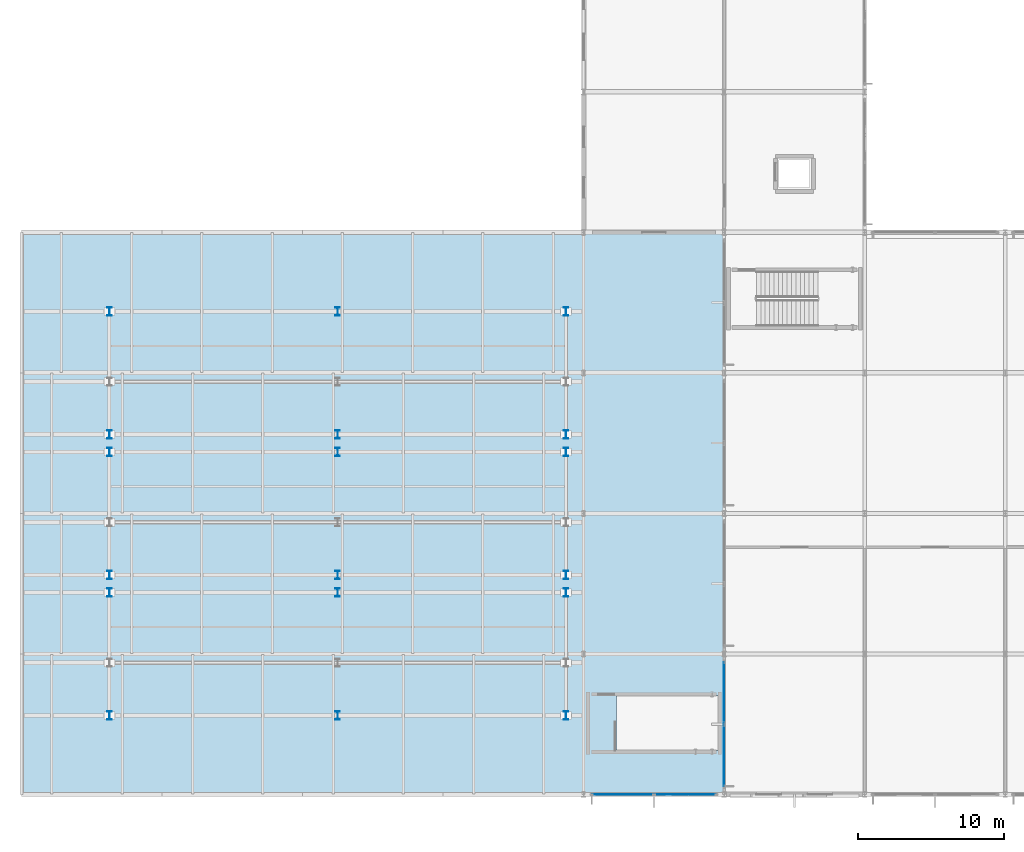
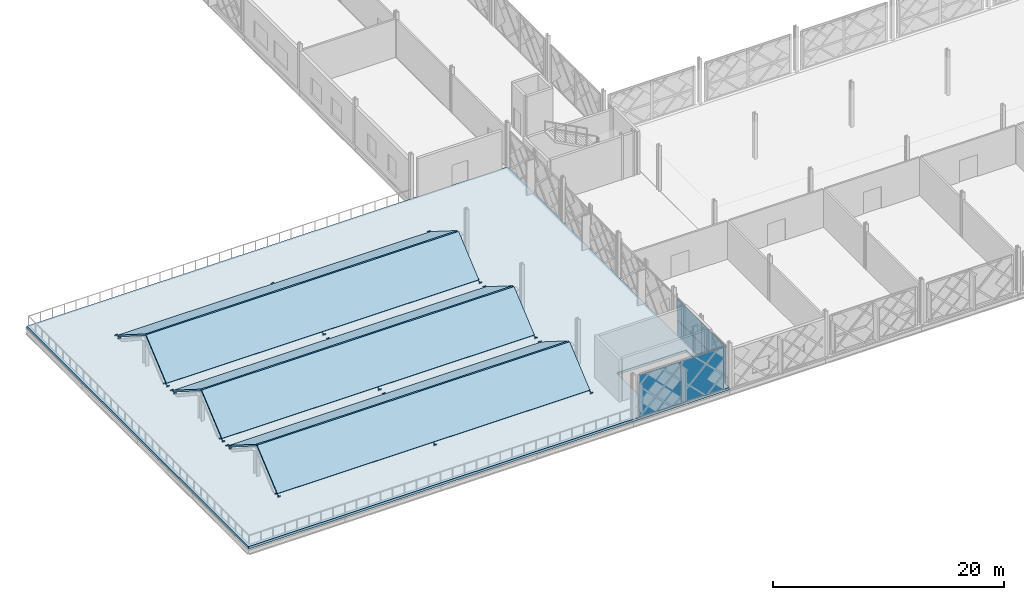
# One storey, part 40 of 77: 18 members, 7 slabs, 6 plates, 2 elements without a shape of their own.
"""IFC4 building model written with IfcOpenShell, lengths in metres."""

from ifc_helpers import new_model, si_unit, direction, frame, origin, origin_2d, place, context, subcontext, project, spatial, polyline, rectangle, i_section, outline, extrude, material, layer, layer_set, material_profile, profile_set, type_object, element, aggregate, save


model = new_model("IFC4")

# Units and contexts
model_context = context("Model", 3, precision=1e-05, world=origin(), true_north=direction((0.0, 1.0)))
body_context = subcontext(model_context, "Body", "Model", "MODEL_VIEW")
ifc_project = project(units=[si_unit("LENGTHUNIT", "METRE"), si_unit("AREAUNIT", "SQUARE_METRE"), si_unit("VOLUMEUNIT", "CUBIC_METRE"), si_unit("PLANEANGLEUNIT", "RADIAN"), si_unit("MASSUNIT", "GRAM", prefix="KILO")], contexts=[model_context])

# Site, building, storey
site_placement = place(None, origin())
site = spatial("IfcSite", under=ifc_project, at=site_placement, CompositionType="ELEMENT")
building_placement = place(site_placement, origin())
building = spatial("IfcBuilding", under=site, at=building_placement, Name="Zevrakil Square Congress Hotel", CompositionType="ELEMENT")
storey_placement = place(building_placement, frame((0.0, 0.0, 9.89990234375)))
storey = spatial("IfcBuildingStorey", under=building, at=storey_placement, Name="L03", CompositionType="ELEMENT", Elevation=9.89990234375)

# Members
ifc_material_1 = material(Name="Steel S355", Category="steel")
ifc_material_profile = material_profile(ifc_material_1, i_section(OverallWidth=0.305908203125, OverallDepth=0.572021484375, WebThickness=0.02099609375, FlangeThickness=0.0400390625, FilletRadius=0.027099609375, at=origin_2d()), Name="HEM 550")
ifc_profile_set = profile_set([ifc_material_profile], Name="Steel S355")
member_type = type_object("IfcMemberType", Name="MEM-CHORD-HEM550", PredefinedType="CHORD", material=ifc_profile_set)
for number, where, z_axis, x_axis, name in (
    (1, (13.199951171875, 12.60009765625, -0.469970703125), (0.0, 0.0, 1.0), (1.0, 0.0, 0.0), "Ballroom sawtooth eaves stub post BSR-E01"),
    (2, (28.800048828125, 12.60009765625, -0.469970703125), (0.0, 0.0, 1.0), (1.0, 0.0, 0.0), "Ballroom sawtooth eaves stub post BSR-E02"),
    (3, (44.39990234375, 12.60009765625, -0.469970703125), (0.0, 0.0, 1.0), (1.0, 0.0, 0.0), "Ballroom sawtooth eaves stub post BSR-E03"),
    (4, (13.199951171875, 21.0, -0.469970703125), (0.0, 0.0, 1.0), (1.0, 0.0, 0.0), "Ballroom sawtooth eaves stub post BSR-E04"),
    (5, (28.800048828125, 21.0, -0.469970703125), (0.0, 0.0, 1.0), (1.0, 0.0, 0.0), "Ballroom sawtooth eaves stub post BSR-E05"),
    (6, (44.39990234375, 21.0, -0.469970703125), (0.0, 0.0, 1.0), (1.0, 0.0, 0.0), "Ballroom sawtooth eaves stub post BSR-E06"),
    (7, (13.199951171875, 22.199951171875, -0.469970703125), (0.0, 0.0, 1.0), (1.0, 0.0, 0.0), "Ballroom sawtooth eaves stub post BSR-E07"),
    (8, (28.800048828125, 22.199951171875, -0.469970703125), (0.0, 0.0, 1.0), (1.0, 0.0, 0.0), "Ballroom sawtooth eaves stub post BSR-E08"),
    (9, (44.39990234375, 22.199951171875, -0.469970703125), (0.0, 0.0, 1.0), (1.0, 0.0, 0.0), "Ballroom sawtooth eaves stub post BSR-E09"),
    (10, (13.199951171875, 30.60009765625, -0.469970703125), (0.0, 0.0, 1.0), (1.0, 0.0, 0.0), "Ballroom sawtooth eaves stub post BSR-E10"),
    (11, (28.800048828125, 30.60009765625, -0.469970703125), (0.0, 0.0, 1.0), (1.0, 0.0, 0.0), "Ballroom sawtooth eaves stub post BSR-E11"),
    (12, (44.39990234375, 30.60009765625, -0.469970703125), (0.0, 0.0, 1.0), (1.0, 0.0, 0.0), "Ballroom sawtooth eaves stub post BSR-E12"),
    (13, (13.199951171875, 31.800048828125, -0.469970703125), (0.0, 0.0, 1.0), (1.0, 0.0, 0.0), "Ballroom sawtooth eaves stub post BSR-E13"),
    (14, (28.800048828125, 31.800048828125, -0.469970703125), (0.0, 0.0, 1.0), (1.0, 0.0, 0.0), "Ballroom sawtooth eaves stub post BSR-E14"),
    (15, (44.39990234375, 31.800048828125, -0.469970703125), (0.0, 0.0, 1.0), (1.0, 0.0, 0.0), "Ballroom sawtooth eaves stub post BSR-E15"),
    (16, (13.199951171875, 40.199951171875, -0.469970703125), (0.0, 0.0, 1.0), (1.0, 0.0, 0.0), "Ballroom sawtooth eaves stub post BSR-E16"),
    (17, (28.800048828125, 40.199951171875, -0.469970703125), (0.0, 0.0, 1.0), (1.0, 0.0, 0.0), "Ballroom sawtooth eaves stub post BSR-E17"),
    (18, (44.39990234375, 40.199951171875, -0.469970703125), (0.0, 0.0, 1.0), (1.0, 0.0, 0.0), "Ballroom sawtooth eaves stub post BSR-E18"),
):
    element("IfcMember", number, at=place(storey_placement, frame(where, z_axis=z_axis, x_axis=x_axis)), inside=storey, type_object=member_type, Name=name, PredefinedType="CHORD", context=body_context, shape_type="SweptSolid", body=[
        extrude(i_section(OverallWidth=0.305908203125, OverallDepth=0.572021484375, WebThickness=0.02099609375, FlangeThickness=0.0400390625, FilletRadius=0.027099609375, at=origin_2d()), origin(), (0.0, 0.0, 1.0), 0.590087890625),
    ])

# Curtain wall, plate
ifc_material_2 = material(Name="Aluminium Anodised Bronze", Category="aluminium")
ifc_layer_1 = layer(ifc_material_2, 0.179931640625)
ifc_layer_set_1 = layer_set([ifc_layer_1], Name="Aluminium Anodised Bronze")
curtain_wall_type = type_object("IfcCurtainWallType", Name="CW-L03-840", PredefinedType="USERDEFINED", material=ifc_layer_set_1)
curtain_wall_1_placement = place(storey_placement, origin())
curtain_wall_1 = element("IfcCurtainWall", 19, at=curtain_wall_1_placement, inside=storey, type_object=curtain_wall_type, Name="L03 diamond curtain wall CW-L03-0003", ObjectType="GLAZED CURTAIN WALL", PredefinedType="USERDEFINED")
ifc_material_3 = material(Name="Low-E Solar Control Double Glazing", Category="glass")
ifc_layer_2 = layer(ifc_material_3, 0.028076171875)
ifc_layer_set_2 = layer_set([ifc_layer_2], Name="Low-E Solar Control Double Glazing")
plate_type_1 = type_object("IfcPlateType", Name="CWP-GLAZ-28", PredefinedType="CURTAIN_PANEL", material=ifc_layer_set_2)
plate_1_placement = place(storey_placement, frame((52.52490234375, 7.199951171875, 0.06005859375), z_axis=(0.0, 0.0, 1.0), x_axis=(1.0, 0.0, 0.0)))
plate_1 = element("IfcPlate", 20, at=plate_1_placement, type_object=plate_type_1, Name="CW-35 panel 2.1", PredefinedType="CURTAIN_PANEL", context=body_context, shape_type="SweptSolid", body=[
    extrude(rectangle(XDim=4.18994140625, YDim=0.028076171875, at=origin_2d()), origin(), (0.0, 0.0, 1.0), 4.419921875),
])

curtain_wall_2_placement = place(storey_placement, origin())
curtain_wall_2 = element("IfcCurtainWall", 21, at=curtain_wall_2_placement, inside=storey, type_object=curtain_wall_type, Name="L03 diamond curtain wall CW-L03-0032", ObjectType="GLAZED CURTAIN WALL", PredefinedType="USERDEFINED")
plate_2_placement = place(storey_placement, frame((55.199951171875, 14.125, 0.06005859375), z_axis=(0.0, 0.0, 1.0), x_axis=(0.0, 1.0, 0.0)))
plate_2 = element("IfcPlate", 22, at=plate_2_placement, type_object=plate_type_1, Name="CW-35 panel 2.1", PredefinedType="CURTAIN_PANEL", context=body_context, shape_type="SweptSolid", body=[
    extrude(rectangle(XDim=4.18994140625, YDim=0.028076171875, at=origin_2d()), origin(), (0.0, 0.0, 1.0), 1.6005859375),
])

# Plate
ifc_material_4 = material(Name="Basalt Grey Ribbed GRC Panel", Category="masonry")
ifc_layer_3 = layer(ifc_material_4, 0.0439453125)
ifc_layer_set_3 = layer_set([ifc_layer_3], Name="Basalt Grey Ribbed GRC Panel")
plate_type_2 = type_object("IfcPlateType", Name="CWP-GRCG-44", PredefinedType="CURTAIN_PANEL", material=ifc_layer_set_3)
plate_3_placement = place(storey_placement, frame((48.27490234375, 7.199951171875, 0.06005859375), z_axis=(0.0, 0.0, 1.0), x_axis=(1.0, 0.0, 0.0)))
plate_3 = element("IfcPlate", 23, at=plate_3_placement, type_object=plate_type_2, Name="CW-35 panel 1.1", PredefinedType="CURTAIN_PANEL", context=body_context, shape_type="SweptSolid", body=[
    extrude(rectangle(XDim=4.18994140625, YDim=0.028076171875, at=origin_2d()), origin(), (0.0, 0.0, 1.0), 4.419921875),
])

aggregate(curtain_wall_1, [plate_3, plate_1])

plate_4_placement = place(storey_placement, frame((55.199951171875, 9.875, 1.720703125), z_axis=(0.0, 0.0, 1.0), x_axis=(0.0, 1.0, 0.0)))
plate_4 = element("IfcPlate", 24, at=plate_4_placement, type_object=plate_type_2, Name="CW-35 panel 1.2", PredefinedType="CURTAIN_PANEL", context=body_context, shape_type="SweptSolid", body=[
    extrude(rectangle(XDim=4.18994140625, YDim=0.028076171875, at=origin_2d()), origin(), (0.0, 0.0, 1.0), 2.244384765625),
])

ifc_material_5 = material(Name="White Ribbed Highland GRC Panel", Category="concrete")
ifc_layer_4 = layer(ifc_material_5, 0.0400390625)
ifc_layer_set_4 = layer_set([ifc_layer_4], Name="White Ribbed Highland GRC Panel")
plate_type_3 = type_object("IfcPlateType", Name="CWP-GRCW-40", PredefinedType="CURTAIN_PANEL", material=ifc_layer_set_4)
plate_5_placement = place(storey_placement, frame((55.199951171875, 9.875, 0.06005859375), z_axis=(0.0, 0.0, 1.0), x_axis=(0.0, 1.0, 0.0)))
plate_5 = element("IfcPlate", 25, at=plate_5_placement, type_object=plate_type_3, Name="CW-35 panel 1.1", PredefinedType="CURTAIN_PANEL", context=body_context, shape_type="SweptSolid", body=[
    extrude(rectangle(XDim=4.18994140625, YDim=0.028076171875, at=origin_2d()), origin(), (0.0, 0.0, 1.0), 1.6005859375),
])

plate_6_placement = place(storey_placement, frame((55.199951171875, 14.125, 1.720703125), z_axis=(0.0, 0.0, 1.0), x_axis=(0.0, 1.0, 0.0)))
plate_6 = element("IfcPlate", 26, at=plate_6_placement, type_object=plate_type_3, Name="CW-35 panel 2.2", PredefinedType="CURTAIN_PANEL", context=body_context, shape_type="SweptSolid", body=[
    extrude(rectangle(XDim=4.18994140625, YDim=0.028076171875, at=origin_2d()), origin(), (0.0, 0.0, 1.0), 2.244384765625),
])

aggregate(curtain_wall_2, [plate_5, plate_4, plate_2, plate_6])

# Slabs
ifc_material_6 = material(Name="Concrete C35/45", Category="concrete")
ifc_layer_5 = layer(ifc_material_6, 0.25)
ifc_layer_set_5 = layer_set([ifc_layer_5], Name="Concrete C35/45")
slab_type_1 = type_object("IfcSlabType", Name="SLB-ROOF-GDN-250", PredefinedType="ROOF", material=ifc_layer_set_5)
slab_1_placement = place(storey_placement, frame((0.0, 0.0, -0.25)))
element("IfcSlab", 27, at=slab_1_placement, inside=storey, type_object=slab_type_1, Name="grand ballroom walkable planted roof garden", PredefinedType="ROOF", context=body_context, shape_type="SweptSolid", body=[
    extrude(outline(polyline([(7.199951171875, 7.199951171875), (55.199951171875, 7.199951171875), (55.199951171875, 45.60009765625), (7.199951171875, 45.60009765625), (7.199951171875, 7.199951171875)]), holes=[polyline([(47.844970703125, 10.199951171875), (54.800048828125, 10.199951171875), (54.800048828125, 13.949951171875), (47.844970703125, 13.949951171875), (47.844970703125, 10.199951171875)])]), origin(), (0.0, 0.0, 1.0), 0.25),
])
ifc_material_7 = material(Name="Concrete C35/45", Category="concrete")
ifc_layer_6 = layer(ifc_material_7, 0.139892578125)
ifc_layer_set_6 = layer_set([ifc_layer_6], Name="Concrete C35/45")
slab_type_2 = type_object("IfcSlabType", Name="SLB-SADDLE-140", PredefinedType="ROOF", material=ifc_layer_set_6)
slab_2_placement = place(storey_placement, frame((13.199951171875, 12.60009765625, 0.22021484375), z_axis=(0.0, -0.646132059544, 0.763225629568), x_axis=(1.0, 0.0, 0.0)))
element("IfcSlab", 28, at=slab_2_placement, inside=storey, type_object=slab_type_2, Name="Ballroom folded sawtooth roof facet BSW-01", PredefinedType="ROOF", context=body_context, shape_type="SweptSolid", body=[
    extrude(outline(polyline([(0.0, 0.0), (31.199951171875, 0.0), (31.199951171875, 4.612030040504175), (0.0, 4.612030040504175), (0.0, 0.0)])), origin(), (0.0, 0.0, -1.0), 0.14990234375),
])
slab_3_placement = place(storey_placement, frame((13.199951171875, 16.280029296875, 3.2001953125), z_axis=(0.0, 0.533858048379, 0.845574115132), x_axis=(1.0, 0.0, 0.0)))
element("IfcSlab", 29, at=slab_3_placement, inside=storey, type_object=slab_type_2, Name="Ballroom folded sawtooth roof facet BSW-02", PredefinedType="ROOF", context=body_context, shape_type="SweptSolid", body=[
    extrude(outline(polyline([(0.0, 0.0), (31.199951171875, 0.0), (31.199951171875, 5.581971607997462), (0.0, 5.581971607997462), (0.0, 0.0)])), origin(), (0.0, 0.0, -1.0), 0.14990234375),
])
slab_4_placement = place(storey_placement, frame((13.199951171875, 22.199951171875, 0.22021484375), z_axis=(0.0, -0.646132059544, 0.763225629568), x_axis=(1.0, 0.0, 0.0)))
element("IfcSlab", 30, at=slab_4_placement, inside=storey, type_object=slab_type_2, Name="Ballroom folded sawtooth roof facet BSW-03", PredefinedType="ROOF", context=body_context, shape_type="SweptSolid", body=[
    extrude(outline(polyline([(0.0, 0.0), (31.199951171875, 0.0), (31.199951171875, 4.612030040504175), (0.0, 4.612030040504175), (0.0, 0.0)])), origin(), (0.0, 0.0, -1.0), 0.14990234375),
])
slab_5_placement = place(storey_placement, frame((13.199951171875, 25.8798828125, 3.2001953125), z_axis=(0.0, 0.533838305201, 0.845586579777), x_axis=(1.0, 0.0, 0.0)))
element("IfcSlab", 31, at=slab_5_placement, inside=storey, type_object=slab_type_2, Name="Ballroom folded sawtooth roof facet BSW-04", PredefinedType="ROOF", context=body_context, shape_type="SweptSolid", body=[
    extrude(outline(polyline([(0.0, 0.0), (31.199951171875, 0.0), (31.199951171875, 5.582178048512006), (0.0, 5.582178048512006), (0.0, 0.0)])), origin(), (0.0, 0.0, -1.0), 0.14990234375),
])
slab_6_placement = place(storey_placement, frame((13.199951171875, 31.800048828125, 0.22021484375), z_axis=(0.0, -0.646132059544, 0.763225629568), x_axis=(1.0, 0.0, 0.0)))
element("IfcSlab", 32, at=slab_6_placement, inside=storey, type_object=slab_type_2, Name="Ballroom folded sawtooth roof facet BSW-05", PredefinedType="ROOF", context=body_context, shape_type="SweptSolid", body=[
    extrude(outline(polyline([(0.0, 0.0), (31.199951171875, 0.0), (31.199951171875, 4.612030040504175), (0.0, 4.612030040504175), (0.0, 0.0)])), origin(), (0.0, 0.0, -1.0), 0.14990234375),
])
slab_7_placement = place(storey_placement, frame((13.199951171875, 35.47998046875, 3.2001953125), z_axis=(0.0, 0.533858048379, 0.845574115132), x_axis=(1.0, 0.0, 0.0)))
element("IfcSlab", 33, at=slab_7_placement, inside=storey, type_object=slab_type_2, Name="Ballroom folded sawtooth roof facet BSW-06", PredefinedType="ROOF", context=body_context, shape_type="SweptSolid", body=[
    extrude(outline(polyline([(0.0, 0.0), (31.199951171875, 0.0), (31.199951171875, 5.581971607997462), (0.0, 5.581971607997462), (0.0, 0.0)])), origin(), (0.0, 0.0, -1.0), 0.14990234375),
])

save(model, "model.ifc")
